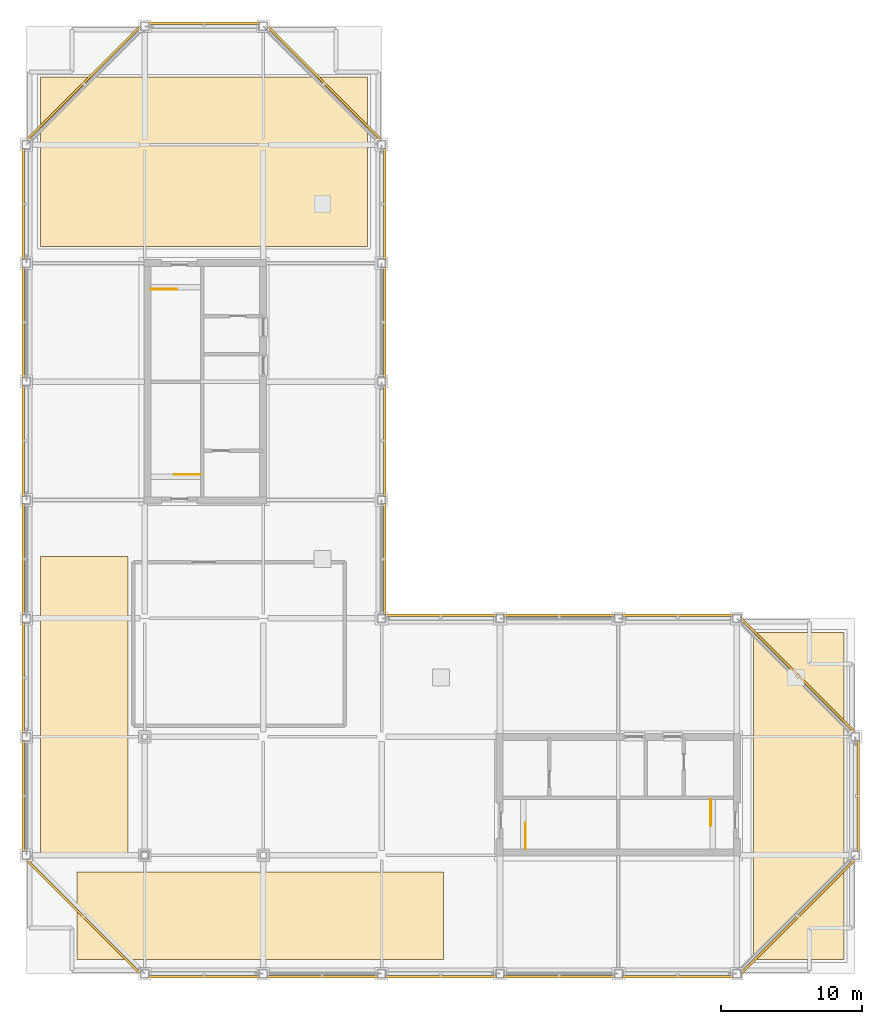
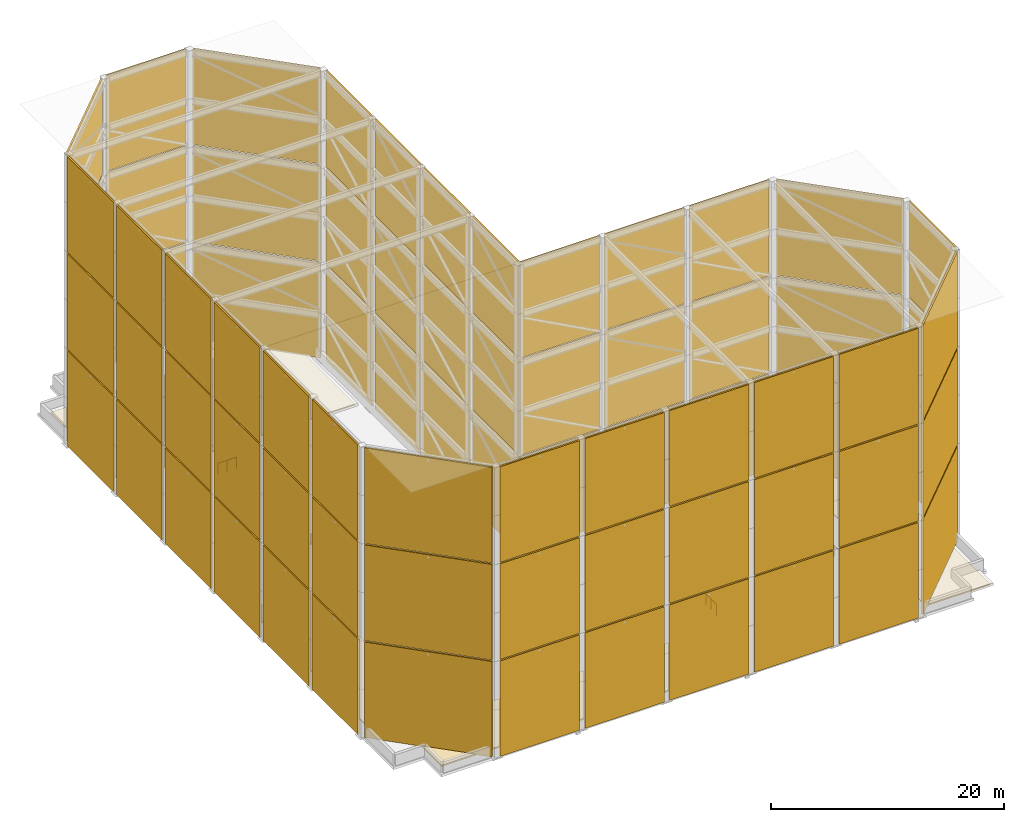
# One storey, part 17 of 17: 75 shading devices, 4 coverings, 4 railings.
"""IFC4 building model written with IfcOpenShell, lengths in metres."""

import ifcopenshell
import ifcopenshell.guid

model = None  # the IFC model being written
_history = None  # IfcOwnerHistory: only IFC2X3 demands one
_inside = {}  # id of a spatial element -> (the spatial element, [elements in it])
_under = {}  # id of a project, library or spatial element -> (it, [spatial elements below it])
_declared = {}  # id of a project -> (the project, [libraries it declares])
_typed = {}  # id of a type object -> (the type object, [elements of that type])
_made_of = {}  # id of a material, layer set ... -> (it, [elements and type objects made of it])


def new_model(schema):
    """Start an empty IFC model of exactly this schema.

    Asked for "IFC4X3", IfcOpenShell would pick the latest addendum, in which some entities
    have other attributes; the version numbers below select the first issue.
    IFC2X3 requires an IfcOwnerHistory on every rooted entity: one is made here for all.
    """
    global model, _history
    if schema == "IFC4X3":
        model = ifcopenshell.file(schema_version=(4, 3, 0, 0))
    else:
        model = ifcopenshell.file(schema=schema)
    _inside.clear()
    _under.clear()
    _declared.clear()
    _typed.clear()
    _made_of.clear()
    _history = None
    if model.schema == "IFC2X3":
        org = make("IfcOrganization", Name="unknown")
        user = make(
            "IfcPersonAndOrganization",
            ThePerson=make("IfcPerson", FamilyName="unknown"),
            TheOrganization=org,
        )
        app = make(
            "IfcApplication",
            ApplicationDeveloper=org,
            Version="unknown",
            ApplicationFullName="unknown",
            ApplicationIdentifier="unknown",
        )
        _history = make(
            "IfcOwnerHistory",
            OwningUser=user,
            OwningApplication=app,
            ChangeAction="ADDED",
            CreationDate=0,
        )
    return model


def make(cls, **values):
    """One entity of the class cls with the attributes given. An attribute that is None is left unset."""
    return model.create_entity(
        cls, **{name: value for name, value in values.items() if value is not None}
    )


def rooted(cls, **values):
    """An entity with a GlobalId (a new one), such as an element, a storey or a relation."""
    return make(cls, GlobalId=ifcopenshell.guid.new(), OwnerHistory=_history, **values)


def si_unit(unit_type, name, prefix=None):
    """IfcSIUnit, for example si_unit("LENGTHUNIT", "METRE", prefix="MILLI")."""
    return make("IfcSIUnit", UnitType=unit_type, Prefix=prefix, Name=name)


def assignment(units):
    """IfcUnitAssignment: the units of a project."""
    return None if units is None else make("IfcUnitAssignment", Units=units)


def point(xyz):
    """IfcCartesianPoint."""
    return None if xyz is None else make("IfcCartesianPoint", Coordinates=xyz)


def direction(xyz):
    """IfcDirection."""
    return None if xyz is None else make("IfcDirection", DirectionRatios=xyz)


def frame(location, z_axis=None, x_axis=None):
    """IfcAxis2Placement3D, a coordinate frame: its origin and axes. An axis left out is left unset."""
    return make(
        "IfcAxis2Placement3D",
        Location=point(location),
        Axis=direction(z_axis),
        RefDirection=direction(x_axis),
    )


def frame_2d(location, x_axis=None):
    """IfcAxis2Placement2D, a coordinate frame in the plane: its origin and x axis."""
    return make(
        "IfcAxis2Placement2D", Location=point(location), RefDirection=direction(x_axis)
    )


def origin():
    """The frame at (0, 0, 0) with its axes left unset."""
    return frame((0.0, 0.0, 0.0))


def origin_2d():
    """The frame at (0, 0) in the plane with its x axis left unset."""
    return frame_2d((0.0, 0.0))


def place(relative_to, where):
    """IfcLocalPlacement: puts the frame where relative to a parent placement (None: the world)."""
    return make(
        "IfcLocalPlacement", PlacementRelTo=relative_to, RelativePlacement=where
    )


def context(
    kind, dimensions, precision=None, world=None, true_north=None, identifier=None
):
    """IfcGeometricRepresentationContext, for example the 3D "Model" context."""
    return make(
        "IfcGeometricRepresentationContext",
        ContextIdentifier=identifier,
        ContextType=kind,
        CoordinateSpaceDimension=dimensions,
        Precision=precision,
        WorldCoordinateSystem=world,
        TrueNorth=true_north,
    )


def subcontext(parent, identifier, kind, view, scale=None):
    """IfcGeometricRepresentationSubContext, for example "Body" below "Model"."""
    return make(
        "IfcGeometricRepresentationSubContext",
        ContextIdentifier=identifier,
        ContextType=kind,
        ParentContext=parent,
        TargetScale=scale,
        TargetView=view,
    )


def project(units=None, contexts=None):
    """IfcProject with its units and contexts."""
    return rooted(
        "IfcProject",
        Name="project",
        RepresentationContexts=contexts,
        UnitsInContext=assignment(units),
    )


def spatial(cls, under=None, at=None, **own):
    """A site, building, storey or space (cls), placed at a placement, below another one or the project."""
    s = rooted(cls, ObjectPlacement=at, **own)
    if under is not None:
        _under.setdefault(under.id(), (under, []))[1].append(s)
    return s


def polyline(points):
    """IfcPolyline through the points."""
    return make("IfcPolyline", Points=[point(p) for p in points])


def profile(cls, at=None, kind="AREA", **sizes):
    """A parametric profile (cls). Its sizes go by their IFC names, for example OverallWidth=200.0."""
    return make(cls, ProfileType=kind, Position=at, **sizes)


def rectangle(**sizes):
    """IfcRectangleProfileDef."""
    return profile("IfcRectangleProfileDef", **sizes)


def circle(**sizes):
    """IfcCircleProfileDef."""
    return profile("IfcCircleProfileDef", **sizes)


def outline(outer, holes=None, kind="AREA"):
    """IfcArbitraryClosedProfileDef: a profile drawn as a closed curve; with holes, ...WithVoids."""
    if holes is None:
        return make("IfcArbitraryClosedProfileDef", ProfileType=kind, OuterCurve=outer)
    return make(
        "IfcArbitraryProfileDefWithVoids",
        ProfileType=kind,
        OuterCurve=outer,
        InnerCurves=holes,
    )


def extrude(swept, where, along, depth):
    """IfcExtrudedAreaSolid: the profile swept, set in the frame where, extruded along a direction by depth."""
    return make(
        "IfcExtrudedAreaSolid",
        SweptArea=swept,
        Position=where,
        ExtrudedDirection=direction(along),
        Depth=depth,
    )


def shape(context_of_items, identifier, shape_type, items):
    """IfcShapeRepresentation: the items that make up one representation, for example the "Body"."""
    return make(
        "IfcShapeRepresentation",
        ContextOfItems=context_of_items,
        RepresentationIdentifier=identifier,
        RepresentationType=shape_type,
        Items=items,
    )


def material(Name=None, Category=None):
    """IfcMaterial."""
    return make("IfcMaterial", Name=Name, Category=Category)


def layer(
    of_material, thickness, ventilated=None, Name=None, Category=None, Priority=None
):
    """IfcMaterialLayer: one layer of a wall or slab, of a material (None: an air gap)."""
    return make(
        "IfcMaterialLayer",
        Material=of_material,
        LayerThickness=thickness,
        IsVentilated=ventilated,
        Name=Name,
        Category=Category,
        Priority=Priority,
    )


def layer_set(layers, Name=None):
    """IfcMaterialLayerSet."""
    return make("IfcMaterialLayerSet", MaterialLayers=layers, LayerSetName=Name)


def made_of(thing, what):
    """Note that an element or type object is made of a material, layer set ...; save() writes the relation."""
    if what is not None:
        _made_of.setdefault(what.id(), (what, []))[1].append(thing)
    return thing


def type_object(cls, material=None, **own):
    """A type object (cls), such as IfcWallType, which elements share."""
    return made_of(rooted(cls, **own), material)


def element(
    cls,
    number,
    at=None,
    inside=None,
    cuts=None,
    type_object=None,
    material=None,
    context=None,
    identifier="Body",
    shape_type=None,
    held_by="IfcProductDefinitionShape",
    body=None,
    shapes=None,
    **own,
):
    """One element of the class cls, such as IfcWall. Its Tag is "e" and its number.

    at: its placement. inside: the storey or other place that contains it. cuts: it is an
    opening in that element (IfcRelVoidsElement). A single representation is given by context,
    identifier, shape_type and body (its items); several are given by shapes. held_by: the class
    of the entity that holds the representations. save() writes the other relations.
    """
    e = rooted(cls, Tag="e%d" % number, ObjectPlacement=at, **own)
    if body is not None:
        shapes = [shape(context, identifier, shape_type, body)]
    if shapes is not None:
        e.Representation = make(held_by, Representations=shapes)
    if inside is not None:
        _inside.setdefault(inside.id(), (inside, []))[1].append(e)
    if cuts is not None:
        rooted(
            "IfcRelVoidsElement", RelatingBuildingElement=cuts, RelatedOpeningElement=e
        )
    if type_object is not None:
        _typed.setdefault(type_object.id(), (type_object, []))[1].append(e)
    return made_of(e, material)


def aggregate(whole, parts):
    """IfcRelAggregates: a whole, such as a stair, and the parts it consists of."""
    return rooted("IfcRelAggregates", RelatingObject=whole, RelatedObjects=parts)


def save(model, path):
    """Write the relations noted so far, then the file.

    IfcRelAggregates (storeys below a building ...), IfcRelContainedInSpatialStructure (elements
    in a storey), IfcRelDefinesByType, IfcRelAssociatesMaterial and IfcRelDeclares: one each for
    every whole, place, type object, material and project.
    """
    for whole, parts in _under.values():
        aggregate(whole, parts)
    for where, things in _inside.values():
        rooted(
            "IfcRelContainedInSpatialStructure",
            RelatedElements=things,
            RelatingStructure=where,
        )
    for kind, things in _typed.values():
        rooted("IfcRelDefinesByType", RelatedObjects=things, RelatingType=kind)
    for what, things in _made_of.values():
        rooted("IfcRelAssociatesMaterial", RelatedObjects=things, RelatingMaterial=what)
    for by, libraries in _declared.values():
        rooted("IfcRelDeclares", RelatingContext=by, RelatedDefinitions=libraries)
    model.write(path)


model = new_model("IFC4")

# Units and contexts
model_context = context("Model", 3, precision=1e-05, world=origin(), true_north=direction((0.0, 1.0)))
body_context = subcontext(model_context, "Body", "Model", "MODEL_VIEW")
ifc_project = project(units=[si_unit("LENGTHUNIT", "METRE"), si_unit("AREAUNIT", "SQUARE_METRE"), si_unit("VOLUMEUNIT", "CUBIC_METRE"), si_unit("PLANEANGLEUNIT", "RADIAN"), si_unit("MASSUNIT", "GRAM", prefix="KILO")], contexts=[model_context])

# Site, building, storey
site_placement = place(None, origin())
site = spatial("IfcSite", under=ifc_project, at=site_placement, CompositionType="ELEMENT")
building_placement = place(site_placement, origin())
building = spatial("IfcBuilding", under=site, at=building_placement, Name="Koriwani Terraces Tower", CompositionType="ELEMENT")
storey_placement = place(building_placement, frame((0.0, 0.0, 374.0)))
storey = spatial("IfcBuildingStorey", under=building, at=storey_placement, Name="RF", CompositionType="ELEMENT", Elevation=374.0)

# Railings
ifc_material_1 = material(Name="Steel ASTM A572 Grade 50", Category="steel")
railing_type = type_object("IfcRailingType", Name="GUARD_STAIR_WELL_1120", PredefinedType="GUARDRAIL", material=ifc_material_1)
railing_1_placement = place(storey_placement, frame((20.75, 43.800048828125, 0.0)))
element("IfcRailing", 1, at=railing_1_placement, inside=storey, type_object=railing_type, Name="RF ST-W1 top well guard 1", PredefinedType="GUARDRAIL", context=body_context, shape_type="SweptSolid", body=[
    extrude(circle(Radius=0.02392578125, at=origin_2d()), frame((0.0, 0.0, 1.1259765625), z_axis=(-1.0, 0.0, 0.0), x_axis=(0.0, -1.0, 0.0)), (0.0, 0.0, 1.0), 1.85009765625),
    extrude(circle(Radius=0.02099609375, at=origin_2d()), origin(), (0.0, 0.0, 1.0), 1.101806640625),
    extrude(circle(Radius=0.02099609375, at=origin_2d()), frame((-0.925048828125, 0.0, 0.0)), (0.0, 0.0, 1.0), 1.101806640625),
    extrude(circle(Radius=0.02099609375, at=origin_2d()), frame((-1.85009765625, 0.0, 0.0)), (0.0, 0.0, 1.0), 1.101806640625),
])
railing_2_placement = place(storey_placement, frame((17.25, 56.949951171875, 0.0)))
element("IfcRailing", 2, at=railing_2_placement, inside=storey, type_object=railing_type, Name="RF ST-W2 top well guard 1", PredefinedType="GUARDRAIL", context=body_context, shape_type="SweptSolid", body=[
    extrude(circle(Radius=0.02392578125, at=origin_2d()), frame((0.0, 0.0, 1.1259765625), z_axis=(1.0, 0.0, 0.0), x_axis=(0.0, 1.0, 0.0)), (0.0, 0.0, 1.0), 1.85009765625),
    extrude(circle(Radius=0.02099609375, at=origin_2d()), origin(), (0.0, 0.0, 1.0), 1.101806640625),
    extrude(circle(Radius=0.02099609375, at=origin_2d()), frame((0.925048828125, 0.0, 0.0)), (0.0, 0.0, 1.0), 1.101806640625),
    extrude(circle(Radius=0.02099609375, at=origin_2d()), frame((1.85009765625, 0.0, 0.0)), (0.0, 0.0, 1.0), 1.101806640625),
])
railing_3_placement = place(storey_placement, frame((43.800048828125, 17.25, 0.0)))
element("IfcRailing", 3, at=railing_3_placement, inside=storey, type_object=railing_type, Name="RF ST-E1 top well guard 1", PredefinedType="GUARDRAIL", context=body_context, shape_type="SweptSolid", body=[
    extrude(circle(Radius=0.02392578125, at=origin_2d()), frame((0.0, 0.0, 1.1259765625), z_axis=(0.0, 1.0, 0.0), x_axis=(-1.0, 0.0, 0.0)), (0.0, 0.0, 1.0), 1.85009765625),
    extrude(circle(Radius=0.02099609375, at=origin_2d()), origin(), (0.0, 0.0, 1.0), 1.101806640625),
    extrude(circle(Radius=0.02099609375, at=origin_2d()), frame((0.0, 0.925048828125, 0.0)), (0.0, 0.0, 1.0), 1.101806640625),
    extrude(circle(Radius=0.02099609375, at=origin_2d()), frame((0.0, 1.85009765625, 0.0)), (0.0, 0.0, 1.0), 1.101806640625),
])
railing_4_placement = place(storey_placement, frame((56.949951171875, 20.75, 0.0)))
element("IfcRailing", 4, at=railing_4_placement, inside=storey, type_object=railing_type, Name="RF ST-E2 top well guard 1", PredefinedType="GUARDRAIL", context=body_context, shape_type="SweptSolid", body=[
    extrude(circle(Radius=0.02392578125, at=origin_2d()), frame((0.0, 0.0, 1.1259765625), z_axis=(0.0, -1.0, 0.0), x_axis=(1.0, 0.0, 0.0)), (0.0, 0.0, 1.0), 1.85009765625),
    extrude(circle(Radius=0.02099609375, at=origin_2d()), origin(), (0.0, 0.0, 1.0), 1.101806640625),
    extrude(circle(Radius=0.02099609375, at=origin_2d()), frame((0.0, -0.925048828125, 0.0)), (0.0, 0.0, 1.0), 1.101806640625),
    extrude(circle(Radius=0.02099609375, at=origin_2d()), frame((0.0, -1.85009765625, 0.0)), (0.0, 0.0, 1.0), 1.101806640625),
])

# Coverings
ifc_material_2 = material(Name="Insulated Modified Bitumen Roofing", Category="masonry")
ifc_layer_1 = layer(ifc_material_2, 0.139892578125, Name="Insulated Modified Bitumen Roofing")
ifc_layer_set_1 = layer_set([ifc_layer_1], Name="Insulated Modified Bitumen Roofing")
covering_type = type_object("IfcCoveringType", Name="ROOFING_MEMBRANE_INSUL", PredefinedType="ROOFING", material=ifc_layer_set_1)
covering_1_placement = place(storey_placement, origin())
element("IfcCovering", 5, at=covering_1_placement, inside=storey, type_object=covering_type, Name="RF Insulated Waterproofing Membrane (RF-MAIN-N)", PredefinedType="ROOFING", context=body_context, shape_type="SweptSolid", body=[
    extrude(outline(polyline([(9.39990234375, 60.0), (32.60009765625, 60.0), (32.60009765625, 72.0), (9.39990234375, 72.0), (9.39990234375, 60.0)])), origin(), (0.0, 0.0, 1.0), 0.139892578125),
])
covering_2_placement = place(storey_placement, origin())
element("IfcCovering", 6, at=covering_2_placement, inside=storey, type_object=covering_type, Name="RF Insulated Waterproofing Membrane (RF-MAIN-E)", PredefinedType="ROOFING", context=body_context, shape_type="SweptSolid", body=[
    extrude(outline(polyline([(60.0, 9.39990234375), (66.39990234375, 9.39990234375), (66.39990234375, 32.60009765625), (60.0, 32.60009765625), (60.0, 9.39990234375)])), origin(), (0.0, 0.0, 1.0), 0.139892578125),
])
covering_3_placement = place(storey_placement, origin())
element("IfcCovering", 7, at=covering_3_placement, inside=storey, type_object=covering_type, Name="RF Insulated Waterproofing Membrane (RF-MAIN-S)", PredefinedType="ROOFING", context=body_context, shape_type="SweptSolid", body=[
    extrude(outline(polyline([(12.0, 9.39990234375), (38.0, 9.39990234375), (38.0, 15.60009765625), (12.0, 15.60009765625), (12.0, 9.39990234375)])), origin(), (0.0, 0.0, 1.0), 0.139892578125),
])
covering_4_placement = place(storey_placement, origin())
element("IfcCovering", 8, at=covering_4_placement, inside=storey, type_object=covering_type, Name="RF Insulated Waterproofing Membrane (RF-MAIN-W)", PredefinedType="ROOFING", context=body_context, shape_type="SweptSolid", body=[
    extrude(outline(polyline([(9.39990234375, 16.800048828125), (15.60009765625, 16.800048828125), (15.60009765625, 38.0), (9.39990234375, 38.0), (9.39990234375, 16.800048828125)])), origin(), (0.0, 0.0, 1.0), 0.139892578125),
])

# Shading devices
ifc_material_3 = material(Name="Extruded Terracotta Clay", Category="masonry")
ifc_layer_2 = layer(ifc_material_3, 0.14990234375, Name="Extruded Terracotta Clay")
ifc_layer_set_2 = layer_set([ifc_layer_2], Name="Extruded Terracotta Clay")
shading_device_type = type_object("IfcShadingDeviceType", Name="TERRACOTTA_BAGUETTE_CROWN_2800", PredefinedType="USERDEFINED", material=ifc_layer_set_2)
for number, where, z_axis, x_axis, name in (
    (9, (21.0, 8.179931640625, 0.080078125), (0.0, 0.0, 1.0), (1.0, 0.0, 0.0), "Crown Frame Band 1 Terracotta Baguette Screen 1"),
    (10, (29.39990234375, 8.179931640625, 0.080078125), (0.0, 0.0, 1.0), (1.0, 0.0, 0.0), "Crown Frame Band 1 Terracotta Baguette Screen 2"),
    (11, (37.800048828125, 8.179931640625, 0.080078125), (0.0, 0.0, 1.0), (1.0, 0.0, 0.0), "Crown Frame Band 1 Terracotta Baguette Screen 3"),
    (12, (46.199951171875, 8.179931640625, 0.080078125), (0.0, 0.0, 1.0), (1.0, 0.0, 0.0), "Crown Frame Band 1 Terracotta Baguette Screen 4"),
    (13, (54.60009765625, 8.179931640625, 0.080078125), (0.0, 0.0, 1.0), (1.0, 0.0, 0.0), "Crown Frame Band 1 Terracotta Baguette Screen 5"),
):
    element("IfcShadingDevice", number, at=place(storey_placement, frame(where, z_axis=z_axis, x_axis=x_axis)), inside=storey, type_object=shading_device_type, Name=name, ObjectType="BAGUETTE", PredefinedType="USERDEFINED", context=body_context, shape_type="SweptSolid", body=[
        extrude(rectangle(XDim=7.8798828125, YDim=0.159912109375, at=origin_2d()), origin(), (0.0, 0.0, 1.0), 10.02001953125),
    ])
shading_device_1_placement = place(storey_placement, frame((63.155517578125, 12.4443359375, 0.080078125), z_axis=(0.0, 0.0, 1.0), x_axis=(0.707106781187, 0.707106781187, 0.0)))
element("IfcShadingDevice", 14, at=shading_device_1_placement, inside=storey, type_object=shading_device_type, Name="Crown Frame Band 1 Terracotta Baguette Screen 6", ObjectType="BAGUETTE", PredefinedType="USERDEFINED", context=body_context, shape_type="SweptSolid", body=[
    extrude(rectangle(XDim=11.359375, YDim=0.159912109375, at=origin_2d()), origin(), (0.0, 0.0, 1.0), 10.02001953125),
])
shading_device_2_placement = place(storey_placement, frame((67.419921875, 21.0, 0.080078125), z_axis=(0.0, 0.0, 1.0), x_axis=(0.0, 1.0, 0.0)))
element("IfcShadingDevice", 15, at=shading_device_2_placement, inside=storey, type_object=shading_device_type, Name="Crown Frame Band 1 Terracotta Baguette Screen 7", ObjectType="BAGUETTE", PredefinedType="USERDEFINED", context=body_context, shape_type="SweptSolid", body=[
    extrude(rectangle(XDim=7.8798828125, YDim=0.159912109375, at=origin_2d()), origin(), (0.0, 0.0, 1.0), 10.02001953125),
])
shading_device_3_placement = place(storey_placement, frame((63.155517578125, 29.5556640625, 0.080078125), z_axis=(0.0, 0.0, 1.0), x_axis=(-0.707106781187, 0.707106781187, 0.0)))
element("IfcShadingDevice", 16, at=shading_device_3_placement, inside=storey, type_object=shading_device_type, Name="Crown Frame Band 1 Terracotta Baguette Screen 8", ObjectType="BAGUETTE", PredefinedType="USERDEFINED", context=body_context, shape_type="SweptSolid", body=[
    extrude(rectangle(XDim=11.359375, YDim=0.159912109375, at=origin_2d()), origin(), (0.0, 0.0, 1.0), 10.02001953125),
])
for number, where, z_axis, x_axis, name in (
    (17, (54.60009765625, 33.820068359375, 0.080078125), (0.0, 0.0, 1.0), (-1.0, 0.0, 0.0), "Crown Frame Band 1 Terracotta Baguette Screen 9"),
    (18, (46.199951171875, 33.820068359375, 0.080078125), (0.0, 0.0, 1.0), (-1.0, 0.0, 0.0), "Crown Frame Band 1 Terracotta Baguette Screen 10"),
    (19, (37.800048828125, 33.820068359375, 0.080078125), (0.0, 0.0, 1.0), (-1.0, 0.0, 0.0), "Crown Frame Band 1 Terracotta Baguette Screen 11"),
    (20, (33.820068359375, 37.800048828125, 0.080078125), (0.0, 0.0, 1.0), (0.0, 1.0, 0.0), "Crown Frame Band 1 Terracotta Baguette Screen 12"),
    (21, (33.820068359375, 46.199951171875, 0.080078125), (0.0, 0.0, 1.0), (0.0, 1.0, 0.0), "Crown Frame Band 1 Terracotta Baguette Screen 13"),
    (22, (33.820068359375, 54.60009765625, 0.080078125), (0.0, 0.0, 1.0), (0.0, 1.0, 0.0), "Crown Frame Band 1 Terracotta Baguette Screen 14"),
    (23, (33.820068359375, 63.0, 0.080078125), (0.0, 0.0, 1.0), (0.0, 1.0, 0.0), "Crown Frame Band 1 Terracotta Baguette Screen 15"),
):
    element("IfcShadingDevice", number, at=place(storey_placement, frame(where, z_axis=z_axis, x_axis=x_axis)), inside=storey, type_object=shading_device_type, Name=name, ObjectType="BAGUETTE", PredefinedType="USERDEFINED", context=body_context, shape_type="SweptSolid", body=[
        extrude(rectangle(XDim=7.8798828125, YDim=0.159912109375, at=origin_2d()), origin(), (0.0, 0.0, 1.0), 10.02001953125),
    ])
shading_device_4_placement = place(storey_placement, frame((29.5556640625, 71.5556640625, 0.080078125), z_axis=(0.0, 0.0, 1.0), x_axis=(-0.707106781187, 0.707106781187, 0.0)))
element("IfcShadingDevice", 24, at=shading_device_4_placement, inside=storey, type_object=shading_device_type, Name="Crown Frame Band 1 Terracotta Baguette Screen 16", ObjectType="BAGUETTE", PredefinedType="USERDEFINED", context=body_context, shape_type="SweptSolid", body=[
    extrude(rectangle(XDim=11.359375, YDim=0.159912109375, at=origin_2d()), origin(), (0.0, 0.0, 1.0), 10.02001953125),
])
shading_device_5_placement = place(storey_placement, frame((21.0, 75.820068359375, 0.080078125), z_axis=(0.0, 0.0, 1.0), x_axis=(-1.0, 0.0, 0.0)))
element("IfcShadingDevice", 25, at=shading_device_5_placement, inside=storey, type_object=shading_device_type, Name="Crown Frame Band 1 Terracotta Baguette Screen 17", ObjectType="BAGUETTE", PredefinedType="USERDEFINED", context=body_context, shape_type="SweptSolid", body=[
    extrude(rectangle(XDim=7.8798828125, YDim=0.159912109375, at=origin_2d()), origin(), (0.0, 0.0, 1.0), 10.02001953125),
])
shading_device_6_placement = place(storey_placement, frame((12.4443359375, 71.5556640625, 0.080078125), z_axis=(0.0, 0.0, 1.0), x_axis=(-0.707106781187, -0.707106781187, 0.0)))
element("IfcShadingDevice", 26, at=shading_device_6_placement, inside=storey, type_object=shading_device_type, Name="Crown Frame Band 1 Terracotta Baguette Screen 18", ObjectType="BAGUETTE", PredefinedType="USERDEFINED", context=body_context, shape_type="SweptSolid", body=[
    extrude(rectangle(XDim=11.359375, YDim=0.159912109375, at=origin_2d()), origin(), (0.0, 0.0, 1.0), 10.02001953125),
])
for number, where, z_axis, x_axis, name in (
    (27, (8.179931640625, 63.0, 0.080078125), (0.0, 0.0, 1.0), (0.0, -1.0, 0.0), "Crown Frame Band 1 Terracotta Baguette Screen 19"),
    (28, (8.179931640625, 54.60009765625, 0.080078125), (0.0, 0.0, 1.0), (0.0, -1.0, 0.0), "Crown Frame Band 1 Terracotta Baguette Screen 20"),
    (29, (8.179931640625, 46.199951171875, 0.080078125), (0.0, 0.0, 1.0), (0.0, -1.0, 0.0), "Crown Frame Band 1 Terracotta Baguette Screen 21"),
    (30, (8.179931640625, 37.800048828125, 0.080078125), (0.0, 0.0, 1.0), (0.0, -1.0, 0.0), "Crown Frame Band 1 Terracotta Baguette Screen 22"),
    (31, (8.179931640625, 29.39990234375, 0.080078125), (0.0, 0.0, 1.0), (0.0, -1.0, 0.0), "Crown Frame Band 1 Terracotta Baguette Screen 23"),
    (32, (8.179931640625, 21.0, 0.080078125), (0.0, 0.0, 1.0), (0.0, -1.0, 0.0), "Crown Frame Band 1 Terracotta Baguette Screen 24"),
):
    element("IfcShadingDevice", number, at=place(storey_placement, frame(where, z_axis=z_axis, x_axis=x_axis)), inside=storey, type_object=shading_device_type, Name=name, ObjectType="BAGUETTE", PredefinedType="USERDEFINED", context=body_context, shape_type="SweptSolid", body=[
        extrude(rectangle(XDim=7.8798828125, YDim=0.159912109375, at=origin_2d()), origin(), (0.0, 0.0, 1.0), 10.02001953125),
    ])
shading_device_7_placement = place(storey_placement, frame((12.4443359375, 12.4443359375, 0.080078125), z_axis=(0.0, 0.0, 1.0), x_axis=(0.707106781187, -0.707106781187, 0.0)))
element("IfcShadingDevice", 33, at=shading_device_7_placement, inside=storey, type_object=shading_device_type, Name="Crown Frame Band 1 Terracotta Baguette Screen 25", ObjectType="BAGUETTE", PredefinedType="USERDEFINED", context=body_context, shape_type="SweptSolid", body=[
    extrude(rectangle(XDim=11.359375, YDim=0.159912109375, at=origin_2d()), origin(), (0.0, 0.0, 1.0), 10.02001953125),
])
for number, where, z_axis, x_axis, name in (
    (34, (21.0, 8.179931640625, 10.260009765625), (0.0, 0.0, 1.0), (1.0, 0.0, 0.0), "Crown Frame Band 2 Terracotta Baguette Screen 1"),
    (35, (29.39990234375, 8.179931640625, 10.260009765625), (0.0, 0.0, 1.0), (1.0, 0.0, 0.0), "Crown Frame Band 2 Terracotta Baguette Screen 2"),
    (36, (37.800048828125, 8.179931640625, 10.260009765625), (0.0, 0.0, 1.0), (1.0, 0.0, 0.0), "Crown Frame Band 2 Terracotta Baguette Screen 3"),
    (37, (46.199951171875, 8.179931640625, 10.260009765625), (0.0, 0.0, 1.0), (1.0, 0.0, 0.0), "Crown Frame Band 2 Terracotta Baguette Screen 4"),
    (38, (54.60009765625, 8.179931640625, 10.260009765625), (0.0, 0.0, 1.0), (1.0, 0.0, 0.0), "Crown Frame Band 2 Terracotta Baguette Screen 5"),
):
    element("IfcShadingDevice", number, at=place(storey_placement, frame(where, z_axis=z_axis, x_axis=x_axis)), inside=storey, type_object=shading_device_type, Name=name, ObjectType="BAGUETTE", PredefinedType="USERDEFINED", context=body_context, shape_type="SweptSolid", body=[
        extrude(rectangle(XDim=7.8798828125, YDim=0.159912109375, at=origin_2d()), origin(), (0.0, 0.0, 1.0), 10.02001953125),
    ])
shading_device_8_placement = place(storey_placement, frame((63.155517578125, 12.4443359375, 10.260009765625), z_axis=(0.0, 0.0, 1.0), x_axis=(0.707106781187, 0.707106781187, 0.0)))
element("IfcShadingDevice", 39, at=shading_device_8_placement, inside=storey, type_object=shading_device_type, Name="Crown Frame Band 2 Terracotta Baguette Screen 6", ObjectType="BAGUETTE", PredefinedType="USERDEFINED", context=body_context, shape_type="SweptSolid", body=[
    extrude(rectangle(XDim=11.359375, YDim=0.159912109375, at=origin_2d()), origin(), (0.0, 0.0, 1.0), 10.02001953125),
])
shading_device_9_placement = place(storey_placement, frame((67.419921875, 21.0, 10.260009765625), z_axis=(0.0, 0.0, 1.0), x_axis=(0.0, 1.0, 0.0)))
element("IfcShadingDevice", 40, at=shading_device_9_placement, inside=storey, type_object=shading_device_type, Name="Crown Frame Band 2 Terracotta Baguette Screen 7", ObjectType="BAGUETTE", PredefinedType="USERDEFINED", context=body_context, shape_type="SweptSolid", body=[
    extrude(rectangle(XDim=7.8798828125, YDim=0.159912109375, at=origin_2d()), origin(), (0.0, 0.0, 1.0), 10.02001953125),
])
shading_device_10_placement = place(storey_placement, frame((63.155517578125, 29.5556640625, 10.260009765625), z_axis=(0.0, 0.0, 1.0), x_axis=(-0.707106781187, 0.707106781187, 0.0)))
element("IfcShadingDevice", 41, at=shading_device_10_placement, inside=storey, type_object=shading_device_type, Name="Crown Frame Band 2 Terracotta Baguette Screen 8", ObjectType="BAGUETTE", PredefinedType="USERDEFINED", context=body_context, shape_type="SweptSolid", body=[
    extrude(rectangle(XDim=11.359375, YDim=0.159912109375, at=origin_2d()), origin(), (0.0, 0.0, 1.0), 10.02001953125),
])
for number, where, z_axis, x_axis, name in (
    (42, (54.60009765625, 33.820068359375, 10.260009765625), (0.0, 0.0, 1.0), (-1.0, 0.0, 0.0), "Crown Frame Band 2 Terracotta Baguette Screen 9"),
    (43, (46.199951171875, 33.820068359375, 10.260009765625), (0.0, 0.0, 1.0), (-1.0, 0.0, 0.0), "Crown Frame Band 2 Terracotta Baguette Screen 10"),
    (44, (37.800048828125, 33.820068359375, 10.260009765625), (0.0, 0.0, 1.0), (-1.0, 0.0, 0.0), "Crown Frame Band 2 Terracotta Baguette Screen 11"),
    (45, (33.820068359375, 37.800048828125, 10.260009765625), (0.0, 0.0, 1.0), (0.0, 1.0, 0.0), "Crown Frame Band 2 Terracotta Baguette Screen 12"),
    (46, (33.820068359375, 46.199951171875, 10.260009765625), (0.0, 0.0, 1.0), (0.0, 1.0, 0.0), "Crown Frame Band 2 Terracotta Baguette Screen 13"),
    (47, (33.820068359375, 54.60009765625, 10.260009765625), (0.0, 0.0, 1.0), (0.0, 1.0, 0.0), "Crown Frame Band 2 Terracotta Baguette Screen 14"),
    (48, (33.820068359375, 63.0, 10.260009765625), (0.0, 0.0, 1.0), (0.0, 1.0, 0.0), "Crown Frame Band 2 Terracotta Baguette Screen 15"),
):
    element("IfcShadingDevice", number, at=place(storey_placement, frame(where, z_axis=z_axis, x_axis=x_axis)), inside=storey, type_object=shading_device_type, Name=name, ObjectType="BAGUETTE", PredefinedType="USERDEFINED", context=body_context, shape_type="SweptSolid", body=[
        extrude(rectangle(XDim=7.8798828125, YDim=0.159912109375, at=origin_2d()), origin(), (0.0, 0.0, 1.0), 10.02001953125),
    ])
shading_device_11_placement = place(storey_placement, frame((29.5556640625, 71.5556640625, 10.260009765625), z_axis=(0.0, 0.0, 1.0), x_axis=(-0.707106781187, 0.707106781187, 0.0)))
element("IfcShadingDevice", 49, at=shading_device_11_placement, inside=storey, type_object=shading_device_type, Name="Crown Frame Band 2 Terracotta Baguette Screen 16", ObjectType="BAGUETTE", PredefinedType="USERDEFINED", context=body_context, shape_type="SweptSolid", body=[
    extrude(rectangle(XDim=11.359375, YDim=0.159912109375, at=origin_2d()), origin(), (0.0, 0.0, 1.0), 10.02001953125),
])
shading_device_12_placement = place(storey_placement, frame((21.0, 75.820068359375, 10.260009765625), z_axis=(0.0, 0.0, 1.0), x_axis=(-1.0, 0.0, 0.0)))
element("IfcShadingDevice", 50, at=shading_device_12_placement, inside=storey, type_object=shading_device_type, Name="Crown Frame Band 2 Terracotta Baguette Screen 17", ObjectType="BAGUETTE", PredefinedType="USERDEFINED", context=body_context, shape_type="SweptSolid", body=[
    extrude(rectangle(XDim=7.8798828125, YDim=0.159912109375, at=origin_2d()), origin(), (0.0, 0.0, 1.0), 10.02001953125),
])
shading_device_13_placement = place(storey_placement, frame((12.4443359375, 71.5556640625, 10.260009765625), z_axis=(0.0, 0.0, 1.0), x_axis=(-0.707106781187, -0.707106781187, 0.0)))
element("IfcShadingDevice", 51, at=shading_device_13_placement, inside=storey, type_object=shading_device_type, Name="Crown Frame Band 2 Terracotta Baguette Screen 18", ObjectType="BAGUETTE", PredefinedType="USERDEFINED", context=body_context, shape_type="SweptSolid", body=[
    extrude(rectangle(XDim=11.359375, YDim=0.159912109375, at=origin_2d()), origin(), (0.0, 0.0, 1.0), 10.02001953125),
])
for number, where, z_axis, x_axis, name in (
    (52, (8.179931640625, 63.0, 10.260009765625), (0.0, 0.0, 1.0), (0.0, -1.0, 0.0), "Crown Frame Band 2 Terracotta Baguette Screen 19"),
    (53, (8.179931640625, 54.60009765625, 10.260009765625), (0.0, 0.0, 1.0), (0.0, -1.0, 0.0), "Crown Frame Band 2 Terracotta Baguette Screen 20"),
    (54, (8.179931640625, 46.199951171875, 10.260009765625), (0.0, 0.0, 1.0), (0.0, -1.0, 0.0), "Crown Frame Band 2 Terracotta Baguette Screen 21"),
    (55, (8.179931640625, 37.800048828125, 10.260009765625), (0.0, 0.0, 1.0), (0.0, -1.0, 0.0), "Crown Frame Band 2 Terracotta Baguette Screen 22"),
    (56, (8.179931640625, 29.39990234375, 10.260009765625), (0.0, 0.0, 1.0), (0.0, -1.0, 0.0), "Crown Frame Band 2 Terracotta Baguette Screen 23"),
    (57, (8.179931640625, 21.0, 10.260009765625), (0.0, 0.0, 1.0), (0.0, -1.0, 0.0), "Crown Frame Band 2 Terracotta Baguette Screen 24"),
):
    element("IfcShadingDevice", number, at=place(storey_placement, frame(where, z_axis=z_axis, x_axis=x_axis)), inside=storey, type_object=shading_device_type, Name=name, ObjectType="BAGUETTE", PredefinedType="USERDEFINED", context=body_context, shape_type="SweptSolid", body=[
        extrude(rectangle(XDim=7.8798828125, YDim=0.159912109375, at=origin_2d()), origin(), (0.0, 0.0, 1.0), 10.02001953125),
    ])
shading_device_14_placement = place(storey_placement, frame((12.4443359375, 12.4443359375, 10.260009765625), z_axis=(0.0, 0.0, 1.0), x_axis=(0.707106781187, -0.707106781187, 0.0)))
element("IfcShadingDevice", 58, at=shading_device_14_placement, inside=storey, type_object=shading_device_type, Name="Crown Frame Band 2 Terracotta Baguette Screen 25", ObjectType="BAGUETTE", PredefinedType="USERDEFINED", context=body_context, shape_type="SweptSolid", body=[
    extrude(rectangle(XDim=11.359375, YDim=0.159912109375, at=origin_2d()), origin(), (0.0, 0.0, 1.0), 10.02001953125),
])
for number, where, z_axis, x_axis, name in (
    (59, (21.0, 8.179931640625, 20.43994140625), (0.0, 0.0, 1.0), (1.0, 0.0, 0.0), "Crown Frame Band 3 Terracotta Baguette Screen 1"),
    (60, (29.39990234375, 8.179931640625, 20.43994140625), (0.0, 0.0, 1.0), (1.0, 0.0, 0.0), "Crown Frame Band 3 Terracotta Baguette Screen 2"),
    (61, (37.800048828125, 8.179931640625, 20.43994140625), (0.0, 0.0, 1.0), (1.0, 0.0, 0.0), "Crown Frame Band 3 Terracotta Baguette Screen 3"),
    (62, (46.199951171875, 8.179931640625, 20.43994140625), (0.0, 0.0, 1.0), (1.0, 0.0, 0.0), "Crown Frame Band 3 Terracotta Baguette Screen 4"),
    (63, (54.60009765625, 8.179931640625, 20.43994140625), (0.0, 0.0, 1.0), (1.0, 0.0, 0.0), "Crown Frame Band 3 Terracotta Baguette Screen 5"),
):
    element("IfcShadingDevice", number, at=place(storey_placement, frame(where, z_axis=z_axis, x_axis=x_axis)), inside=storey, type_object=shading_device_type, Name=name, ObjectType="BAGUETTE", PredefinedType="USERDEFINED", context=body_context, shape_type="SweptSolid", body=[
        extrude(rectangle(XDim=7.8798828125, YDim=0.159912109375, at=origin_2d()), origin(), (0.0, 0.0, 1.0), 10.02001953125),
    ])
shading_device_15_placement = place(storey_placement, frame((63.155517578125, 12.4443359375, 20.43994140625), z_axis=(0.0, 0.0, 1.0), x_axis=(0.707106781187, 0.707106781187, 0.0)))
element("IfcShadingDevice", 64, at=shading_device_15_placement, inside=storey, type_object=shading_device_type, Name="Crown Frame Band 3 Terracotta Baguette Screen 6", ObjectType="BAGUETTE", PredefinedType="USERDEFINED", context=body_context, shape_type="SweptSolid", body=[
    extrude(rectangle(XDim=11.359375, YDim=0.159912109375, at=origin_2d()), origin(), (0.0, 0.0, 1.0), 10.02001953125),
])
shading_device_16_placement = place(storey_placement, frame((67.419921875, 21.0, 20.43994140625), z_axis=(0.0, 0.0, 1.0), x_axis=(0.0, 1.0, 0.0)))
element("IfcShadingDevice", 65, at=shading_device_16_placement, inside=storey, type_object=shading_device_type, Name="Crown Frame Band 3 Terracotta Baguette Screen 7", ObjectType="BAGUETTE", PredefinedType="USERDEFINED", context=body_context, shape_type="SweptSolid", body=[
    extrude(rectangle(XDim=7.8798828125, YDim=0.159912109375, at=origin_2d()), origin(), (0.0, 0.0, 1.0), 10.02001953125),
])
shading_device_17_placement = place(storey_placement, frame((63.155517578125, 29.5556640625, 20.43994140625), z_axis=(0.0, 0.0, 1.0), x_axis=(-0.707106781187, 0.707106781187, 0.0)))
element("IfcShadingDevice", 66, at=shading_device_17_placement, inside=storey, type_object=shading_device_type, Name="Crown Frame Band 3 Terracotta Baguette Screen 8", ObjectType="BAGUETTE", PredefinedType="USERDEFINED", context=body_context, shape_type="SweptSolid", body=[
    extrude(rectangle(XDim=11.359375, YDim=0.159912109375, at=origin_2d()), origin(), (0.0, 0.0, 1.0), 10.02001953125),
])
for number, where, z_axis, x_axis, name in (
    (67, (54.60009765625, 33.820068359375, 20.43994140625), (0.0, 0.0, 1.0), (-1.0, 0.0, 0.0), "Crown Frame Band 3 Terracotta Baguette Screen 9"),
    (68, (46.199951171875, 33.820068359375, 20.43994140625), (0.0, 0.0, 1.0), (-1.0, 0.0, 0.0), "Crown Frame Band 3 Terracotta Baguette Screen 10"),
    (69, (37.800048828125, 33.820068359375, 20.43994140625), (0.0, 0.0, 1.0), (-1.0, 0.0, 0.0), "Crown Frame Band 3 Terracotta Baguette Screen 11"),
    (70, (33.820068359375, 37.800048828125, 20.43994140625), (0.0, 0.0, 1.0), (0.0, 1.0, 0.0), "Crown Frame Band 3 Terracotta Baguette Screen 12"),
    (71, (33.820068359375, 46.199951171875, 20.43994140625), (0.0, 0.0, 1.0), (0.0, 1.0, 0.0), "Crown Frame Band 3 Terracotta Baguette Screen 13"),
    (72, (33.820068359375, 54.60009765625, 20.43994140625), (0.0, 0.0, 1.0), (0.0, 1.0, 0.0), "Crown Frame Band 3 Terracotta Baguette Screen 14"),
    (73, (33.820068359375, 63.0, 20.43994140625), (0.0, 0.0, 1.0), (0.0, 1.0, 0.0), "Crown Frame Band 3 Terracotta Baguette Screen 15"),
):
    element("IfcShadingDevice", number, at=place(storey_placement, frame(where, z_axis=z_axis, x_axis=x_axis)), inside=storey, type_object=shading_device_type, Name=name, ObjectType="BAGUETTE", PredefinedType="USERDEFINED", context=body_context, shape_type="SweptSolid", body=[
        extrude(rectangle(XDim=7.8798828125, YDim=0.159912109375, at=origin_2d()), origin(), (0.0, 0.0, 1.0), 10.02001953125),
    ])
shading_device_18_placement = place(storey_placement, frame((29.5556640625, 71.5556640625, 20.43994140625), z_axis=(0.0, 0.0, 1.0), x_axis=(-0.707106781187, 0.707106781187, 0.0)))
element("IfcShadingDevice", 74, at=shading_device_18_placement, inside=storey, type_object=shading_device_type, Name="Crown Frame Band 3 Terracotta Baguette Screen 16", ObjectType="BAGUETTE", PredefinedType="USERDEFINED", context=body_context, shape_type="SweptSolid", body=[
    extrude(rectangle(XDim=11.359375, YDim=0.159912109375, at=origin_2d()), origin(), (0.0, 0.0, 1.0), 10.02001953125),
])
shading_device_19_placement = place(storey_placement, frame((21.0, 75.820068359375, 20.43994140625), z_axis=(0.0, 0.0, 1.0), x_axis=(-1.0, 0.0, 0.0)))
element("IfcShadingDevice", 75, at=shading_device_19_placement, inside=storey, type_object=shading_device_type, Name="Crown Frame Band 3 Terracotta Baguette Screen 17", ObjectType="BAGUETTE", PredefinedType="USERDEFINED", context=body_context, shape_type="SweptSolid", body=[
    extrude(rectangle(XDim=7.8798828125, YDim=0.159912109375, at=origin_2d()), origin(), (0.0, 0.0, 1.0), 10.02001953125),
])
shading_device_20_placement = place(storey_placement, frame((12.4443359375, 71.5556640625, 20.43994140625), z_axis=(0.0, 0.0, 1.0), x_axis=(-0.707106781187, -0.707106781187, 0.0)))
element("IfcShadingDevice", 76, at=shading_device_20_placement, inside=storey, type_object=shading_device_type, Name="Crown Frame Band 3 Terracotta Baguette Screen 18", ObjectType="BAGUETTE", PredefinedType="USERDEFINED", context=body_context, shape_type="SweptSolid", body=[
    extrude(rectangle(XDim=11.359375, YDim=0.159912109375, at=origin_2d()), origin(), (0.0, 0.0, 1.0), 10.02001953125),
])
for number, where, z_axis, x_axis, name in (
    (77, (8.179931640625, 63.0, 20.43994140625), (0.0, 0.0, 1.0), (0.0, -1.0, 0.0), "Crown Frame Band 3 Terracotta Baguette Screen 19"),
    (78, (8.179931640625, 54.60009765625, 20.43994140625), (0.0, 0.0, 1.0), (0.0, -1.0, 0.0), "Crown Frame Band 3 Terracotta Baguette Screen 20"),
    (79, (8.179931640625, 46.199951171875, 20.43994140625), (0.0, 0.0, 1.0), (0.0, -1.0, 0.0), "Crown Frame Band 3 Terracotta Baguette Screen 21"),
    (80, (8.179931640625, 37.800048828125, 20.43994140625), (0.0, 0.0, 1.0), (0.0, -1.0, 0.0), "Crown Frame Band 3 Terracotta Baguette Screen 22"),
    (81, (8.179931640625, 29.39990234375, 20.43994140625), (0.0, 0.0, 1.0), (0.0, -1.0, 0.0), "Crown Frame Band 3 Terracotta Baguette Screen 23"),
    (82, (8.179931640625, 21.0, 20.43994140625), (0.0, 0.0, 1.0), (0.0, -1.0, 0.0), "Crown Frame Band 3 Terracotta Baguette Screen 24"),
):
    element("IfcShadingDevice", number, at=place(storey_placement, frame(where, z_axis=z_axis, x_axis=x_axis)), inside=storey, type_object=shading_device_type, Name=name, ObjectType="BAGUETTE", PredefinedType="USERDEFINED", context=body_context, shape_type="SweptSolid", body=[
        extrude(rectangle(XDim=7.8798828125, YDim=0.159912109375, at=origin_2d()), origin(), (0.0, 0.0, 1.0), 10.02001953125),
    ])
shading_device_21_placement = place(storey_placement, frame((12.4443359375, 12.4443359375, 20.43994140625), z_axis=(0.0, 0.0, 1.0), x_axis=(0.707106781187, -0.707106781187, 0.0)))
element("IfcShadingDevice", 83, at=shading_device_21_placement, inside=storey, type_object=shading_device_type, Name="Crown Frame Band 3 Terracotta Baguette Screen 25", ObjectType="BAGUETTE", PredefinedType="USERDEFINED", context=body_context, shape_type="SweptSolid", body=[
    extrude(rectangle(XDim=11.359375, YDim=0.159912109375, at=origin_2d()), origin(), (0.0, 0.0, 1.0), 10.02001953125),
])

save(model, "model.ifc")
